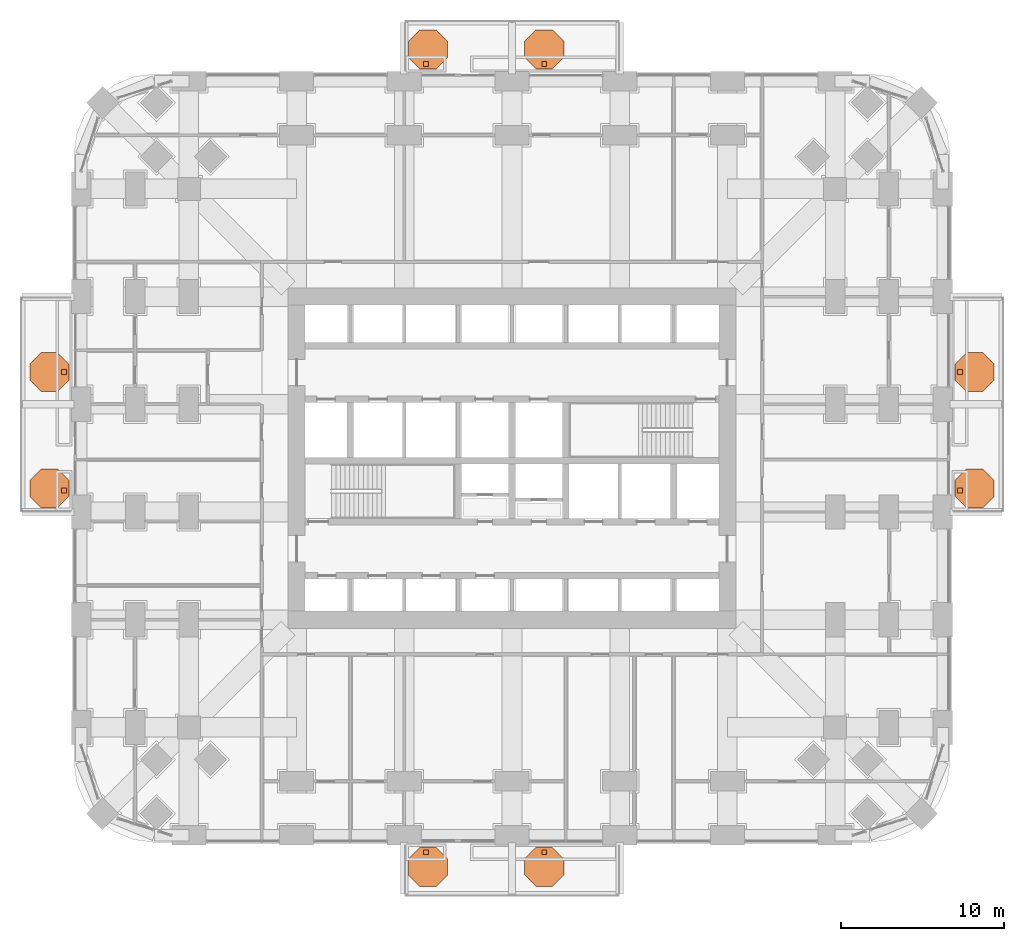
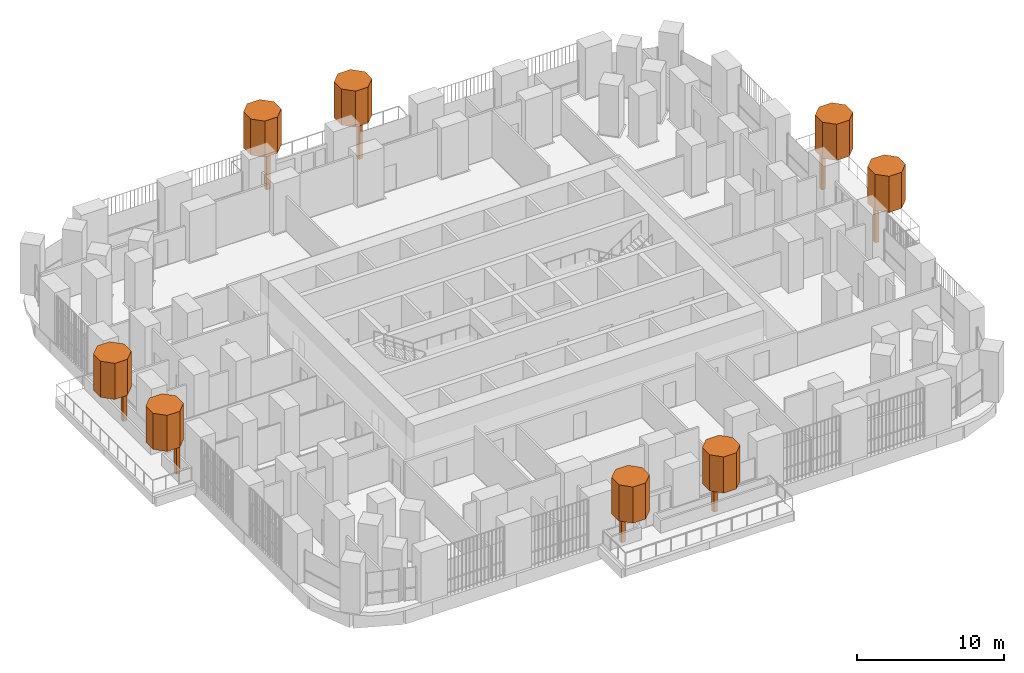
# One storey, part 26 of 26: 16 geographic elements.
"""IFC4 building model written with IfcOpenShell, lengths in metres."""

from ifc_helpers import new_model, si_unit, direction, frame, origin, origin_2d, place, context, subcontext, project, spatial, polyline, rectangle, outline, extrude, material, type_object, element, save


model = new_model("IFC4")

# Units and contexts
model_context = context("Model", 3, precision=1e-05, world=origin(), true_north=direction((0.0, 1.0)))
body_context = subcontext(model_context, "Body", "Model", "MODEL_VIEW")
ifc_project = project(units=[si_unit("LENGTHUNIT", "METRE"), si_unit("AREAUNIT", "SQUARE_METRE"), si_unit("VOLUMEUNIT", "CUBIC_METRE"), si_unit("PLANEANGLEUNIT", "RADIAN"), si_unit("MASSUNIT", "GRAM", prefix="KILO")], contexts=[model_context])

# Site, building, storey
site_placement = place(None, origin())
site = spatial("IfcSite", under=ifc_project, at=site_placement, CompositionType="ELEMENT")
building_placement = place(site_placement, origin())
building = spatial("IfcBuilding", under=site, at=building_placement, Name="Cobogo Forest Laboratory Tower", CompositionType="ELEMENT")
storey_placement = place(building_placement, frame((0.0, 0.0, 42.300048828125)))
storey = spatial("IfcBuildingStorey", under=building, at=storey_placement, Name="L09", CompositionType="ELEMENT", Elevation=42.300048828125)

# Geographic elements
ifc_material = material(Name="Planting", Category="plant")
geographic_element_type_1 = type_object("IfcGeographicElementType", Name="Tree trunk 300", PredefinedType="USERDEFINED", material=ifc_material)
for number, where, z_axis, x_axis, name in (
    (1, (21.125, -1.050048828125, 0.0), (0.0, 0.0, 1.0), (1.0, 0.0, 0.0), "Tree trunk BAL-S1-PL1 L09"),
    (2, (28.375, -1.050048828125, 0.0), (0.0, 0.0, 1.0), (1.0, 0.0, 0.0), "Tree trunk BAL-S1-PL2 L09"),
    (3, (53.85009765625, 21.125, 0.0), (0.0, 0.0, 1.0), (1.0, 0.0, 0.0), "Tree trunk BAL-E1-PL1 L09"),
    (4, (53.85009765625, 28.375, 0.0), (0.0, 0.0, 1.0), (1.0, 0.0, 0.0), "Tree trunk BAL-E1-PL2 L09"),
    (5, (21.125, 47.25, 0.0), (0.0, 0.0, 1.0), (1.0, 0.0, 0.0), "Tree trunk BAL-N1-PL1 L09"),
    (6, (28.375, 47.25, 0.0), (0.0, 0.0, 1.0), (1.0, 0.0, 0.0), "Tree trunk BAL-N1-PL2 L09"),
    (7, (-1.050048828125, 21.125, 0.0), (0.0, 0.0, 1.0), (1.0, 0.0, 0.0), "Tree trunk BAL-W1-PL1 L09"),
    (8, (-1.050048828125, 28.375, 0.0), (0.0, 0.0, 1.0), (1.0, 0.0, 0.0), "Tree trunk BAL-W1-PL2 L09"),
):
    element("IfcGeographicElement", number, at=place(storey_placement, frame(where, z_axis=z_axis, x_axis=x_axis)), inside=storey, type_object=geographic_element_type_1, Name=name, ObjectType="TREE TRUNK", PredefinedType="USERDEFINED", context=body_context, shape_type="SweptSolid", body=[
        extrude(rectangle(XDim=0.300048828125, YDim=0.300048828125, at=origin_2d()), origin(), (0.0, 0.0, 1.0), 2.89990234375),
    ])
geographic_element_type_2 = type_object("IfcGeographicElementType", Name="Tree, holm oak 5 m", PredefinedType="USERDEFINED", material=ifc_material)
geographic_element_1_placement = place(storey_placement, frame((0.0, 0.0, 2.89990234375)))
element("IfcGeographicElement", 9, at=geographic_element_1_placement, inside=storey, type_object=geographic_element_type_2, Name="Holm tree BAL-S1-PL1 L09", ObjectType="TREE", PredefinedType="USERDEFINED", context=body_context, shape_type="SweptSolid", body=[
    extrude(outline(polyline([(22.449951171875, -2.447021484375), (22.449951171875, -1.452880859375), (21.7470703125, -0.75), (20.7529296875, -0.75), (20.050048828125, -1.452880859375), (20.050048828125, -2.447021484375), (20.7529296875, -3.14990234375), (21.7470703125, -3.14990234375), (22.449951171875, -2.447021484375)])), origin(), (0.0, 0.0, 1.0), 3.0),
])
geographic_element_2_placement = place(storey_placement, frame((0.0, 0.0, 2.89990234375)))
element("IfcGeographicElement", 10, at=geographic_element_2_placement, inside=storey, type_object=geographic_element_type_2, Name="Holm tree BAL-S1-PL2 L09", ObjectType="TREE", PredefinedType="USERDEFINED", context=body_context, shape_type="SweptSolid", body=[
    extrude(outline(polyline([(29.574951171875, -2.447021484375), (29.574951171875, -1.452880859375), (28.8720703125, -0.75), (27.8779296875, -0.75), (27.175048828125, -1.452880859375), (27.175048828125, -2.447021484375), (27.8779296875, -3.14990234375), (28.8720703125, -3.14990234375), (29.574951171875, -2.447021484375)])), origin(), (0.0, 0.0, 1.0), 3.0),
])
geographic_element_3_placement = place(storey_placement, frame((0.0, 0.0, 2.89990234375)))
element("IfcGeographicElement", 11, at=geographic_element_3_placement, inside=storey, type_object=geographic_element_type_2, Name="Holm tree BAL-E1-PL1 L09", ObjectType="TREE", PredefinedType="USERDEFINED", context=body_context, shape_type="SweptSolid", body=[
    extrude(outline(polyline([(55.949951171875, 20.7529296875), (55.949951171875, 21.7470703125), (55.2470703125, 22.449951171875), (54.2529296875, 22.449951171875), (53.550048828125, 21.7470703125), (53.550048828125, 20.7529296875), (54.2529296875, 20.050048828125), (55.2470703125, 20.050048828125), (55.949951171875, 20.7529296875)])), origin(), (0.0, 0.0, 1.0), 3.0),
])
geographic_element_4_placement = place(storey_placement, frame((0.0, 0.0, 2.89990234375)))
element("IfcGeographicElement", 12, at=geographic_element_4_placement, inside=storey, type_object=geographic_element_type_2, Name="Holm tree BAL-E1-PL2 L09", ObjectType="TREE", PredefinedType="USERDEFINED", context=body_context, shape_type="SweptSolid", body=[
    extrude(outline(polyline([(55.949951171875, 27.8779296875), (55.949951171875, 28.8720703125), (55.2470703125, 29.574951171875), (54.2529296875, 29.574951171875), (53.550048828125, 28.8720703125), (53.550048828125, 27.8779296875), (54.2529296875, 27.175048828125), (55.2470703125, 27.175048828125), (55.949951171875, 27.8779296875)])), origin(), (0.0, 0.0, 1.0), 3.0),
])
geographic_element_5_placement = place(storey_placement, frame((0.0, 0.0, 2.89990234375)))
element("IfcGeographicElement", 13, at=geographic_element_5_placement, inside=storey, type_object=geographic_element_type_2, Name="Holm tree BAL-N1-PL1 L09", ObjectType="TREE", PredefinedType="USERDEFINED", context=body_context, shape_type="SweptSolid", body=[
    extrude(outline(polyline([(22.449951171875, 47.65283203125), (22.449951171875, 48.64697265625), (21.7470703125, 49.35009765625), (20.7529296875, 49.35009765625), (20.050048828125, 48.64697265625), (20.050048828125, 47.65283203125), (20.7529296875, 46.949951171875), (21.7470703125, 46.949951171875), (22.449951171875, 47.65283203125)])), origin(), (0.0, 0.0, 1.0), 3.0),
])
geographic_element_6_placement = place(storey_placement, frame((0.0, 0.0, 2.89990234375)))
element("IfcGeographicElement", 14, at=geographic_element_6_placement, inside=storey, type_object=geographic_element_type_2, Name="Holm tree BAL-N1-PL2 L09", ObjectType="TREE", PredefinedType="USERDEFINED", context=body_context, shape_type="SweptSolid", body=[
    extrude(outline(polyline([(29.574951171875, 47.65283203125), (29.574951171875, 48.64697265625), (28.8720703125, 49.35009765625), (27.8779296875, 49.35009765625), (27.175048828125, 48.64697265625), (27.175048828125, 47.65283203125), (27.8779296875, 46.949951171875), (28.8720703125, 46.949951171875), (29.574951171875, 47.65283203125)])), origin(), (0.0, 0.0, 1.0), 3.0),
])
geographic_element_7_placement = place(storey_placement, frame((0.0, 0.0, 2.89990234375)))
element("IfcGeographicElement", 15, at=geographic_element_7_placement, inside=storey, type_object=geographic_element_type_2, Name="Holm tree BAL-W1-PL1 L09", ObjectType="TREE", PredefinedType="USERDEFINED", context=body_context, shape_type="SweptSolid", body=[
    extrude(outline(polyline([(-0.75, 20.7529296875), (-0.75, 21.7470703125), (-1.452880859375, 22.449951171875), (-2.447021484375, 22.449951171875), (-3.14990234375, 21.7470703125), (-3.14990234375, 20.7529296875), (-2.447021484375, 20.050048828125), (-1.452880859375, 20.050048828125), (-0.75, 20.7529296875)])), origin(), (0.0, 0.0, 1.0), 3.0),
])
geographic_element_8_placement = place(storey_placement, frame((0.0, 0.0, 2.89990234375)))
element("IfcGeographicElement", 16, at=geographic_element_8_placement, inside=storey, type_object=geographic_element_type_2, Name="Holm tree BAL-W1-PL2 L09", ObjectType="TREE", PredefinedType="USERDEFINED", context=body_context, shape_type="SweptSolid", body=[
    extrude(outline(polyline([(-0.75, 27.8779296875), (-0.75, 28.8720703125), (-1.452880859375, 29.574951171875), (-2.447021484375, 29.574951171875), (-3.14990234375, 28.8720703125), (-3.14990234375, 27.8779296875), (-2.447021484375, 27.175048828125), (-1.452880859375, 27.175048828125), (-0.75, 27.8779296875)])), origin(), (0.0, 0.0, 1.0), 3.0),
])

save(model, "model.ifc")
